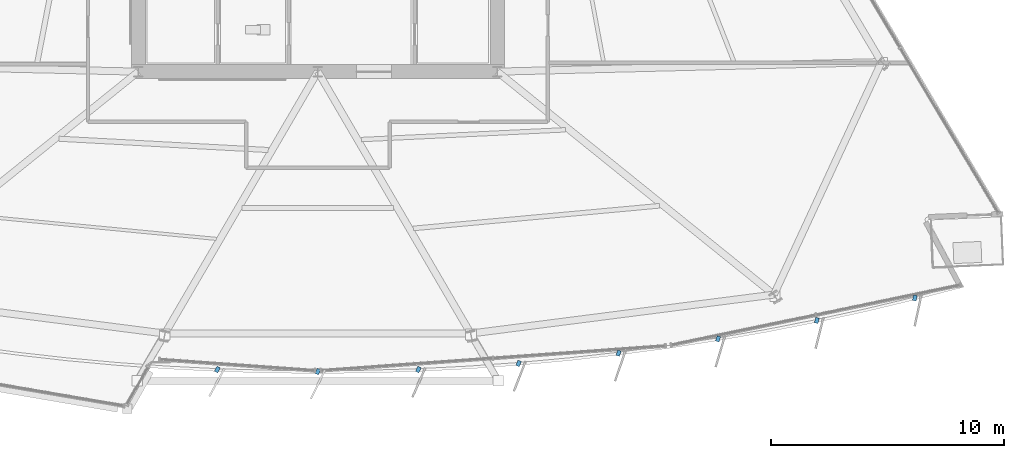
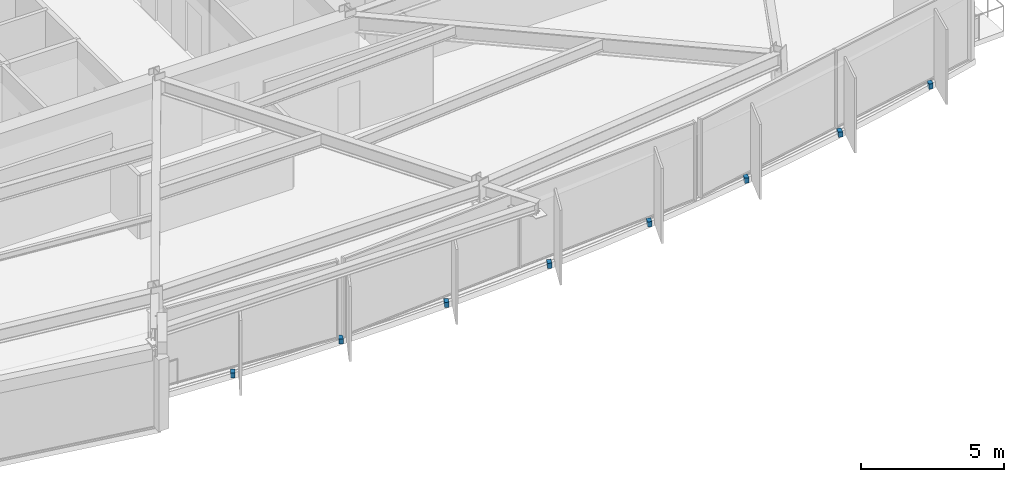
# One storey, part 12 of 17: 8 discrete accessories.
"""IFC4 building model written with IfcOpenShell, lengths in metres."""

from ifc_helpers import new_model, si_unit, direction, frame, origin, origin_2d, place, context, subcontext, project, spatial, rectangle, extrude, material, type_object, element, save


model = new_model("IFC4")

# Units and contexts
model_context = context("Model", 3, precision=1e-05, world=origin(), true_north=direction((0.0, 1.0)))
body_context = subcontext(model_context, "Body", "Model", "MODEL_VIEW")
ifc_project = project(units=[si_unit("LENGTHUNIT", "METRE"), si_unit("AREAUNIT", "SQUARE_METRE"), si_unit("VOLUMEUNIT", "CUBIC_METRE"), si_unit("PLANEANGLEUNIT", "RADIAN"), si_unit("MASSUNIT", "GRAM", prefix="KILO")], contexts=[model_context])

# Site, building, storey
site_placement = place(None, origin())
site = spatial("IfcSite", under=ifc_project, at=site_placement, CompositionType="ELEMENT")
building_placement = place(site_placement, origin())
building = spatial("IfcBuilding", under=site, at=building_placement, Name="Savorim Split Tower", CompositionType="ELEMENT")
storey_placement = place(building_placement, frame((0.0, 0.0, 62.39990234375)))
storey = spatial("IfcBuildingStorey", under=building, at=storey_placement, Name="L16", CompositionType="ELEMENT", Elevation=62.39990234375)

# Discrete accessories
ifc_material = material(Name="Steel S355", Category="steel")
discrete_accessory_type = type_object("IfcDiscreteAccessoryType", Name="ACC-BRK-FIN", PredefinedType="BRACKET", material=ifc_material)
for number, where, z_axis, x_axis, name in (
    (1, (-4.310546875, -22.18212890625, -0.18994140625), (0.0, 0.0, 1.0), (-0.474778051978, -0.880105562623, 0.0), "L16 Fin Slab-Edge Cleat Bracket 06"),
    (2, (0.0, -22.2705078125, -0.18994140625), (0.0, 0.0, 1.0), (-0.438371146789, -0.898794046299, 0.0), "L16 Fin Slab-Edge Cleat Bracket 07"),
    (3, (4.310546875, -22.18212890625, -0.18994140625), (0.0, 0.0, 1.0), (-0.401230091723, -0.915977299662, 0.0), "L16 Fin Slab-Edge Cleat Bracket 08"),
    (4, (8.614013671875, -21.917724609375, -0.18994140625), (0.0, 0.0, 1.0), (-0.363415461732, -0.931627179817, 0.0), "L16 Fin Slab-Edge Cleat Bracket 09"),
    (5, (12.903076171875, -21.477294921875, -0.18994140625), (0.0, 0.0, 1.0), (-0.324993810493, -0.945716143005, 0.0), "L16 Fin Slab-Edge Cleat Bracket 10"),
    (6, (17.17041015625, -20.86181640625, -0.18994140625), (0.0, 0.0, 1.0), (-0.286026212504, -0.958221793616, 0.0), "L16 Fin Slab-Edge Cleat Bracket 11"),
    (7, (21.408935546875, -20.072265625, -0.18994140625), (0.0, 0.0, 1.0), (-0.246581250663, -0.969122121727, 0.0), "L16 Fin Slab-Edge Cleat Bracket 12"),
    (8, (25.611572265625, -19.10986328125, -0.18994140625), (0.0, 0.0, 1.0), (-0.206721626106, -0.978399800337, 0.0), "L16 Fin Slab-Edge Cleat Bracket 13"),
):
    element("IfcDiscreteAccessory", number, at=place(storey_placement, frame(where, z_axis=z_axis, x_axis=x_axis)), inside=storey, type_object=discrete_accessory_type, Name=name, PredefinedType="BRACKET", context=body_context, shape_type="SweptSolid", body=[
        extrude(rectangle(XDim=0.239990234375, YDim=0.159912109375, at=origin_2d()), origin(), (0.0, 0.0, 1.0), 0.219970703125),
    ])

save(model, "model.ifc")
